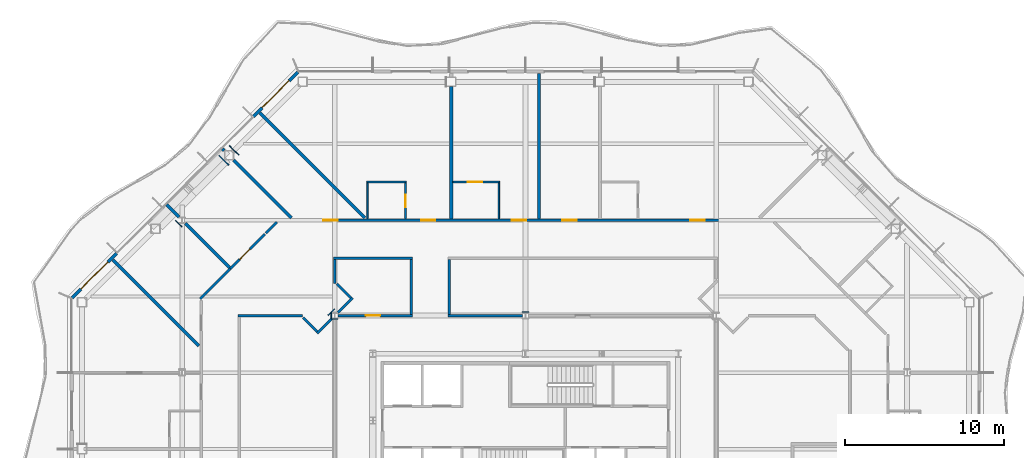
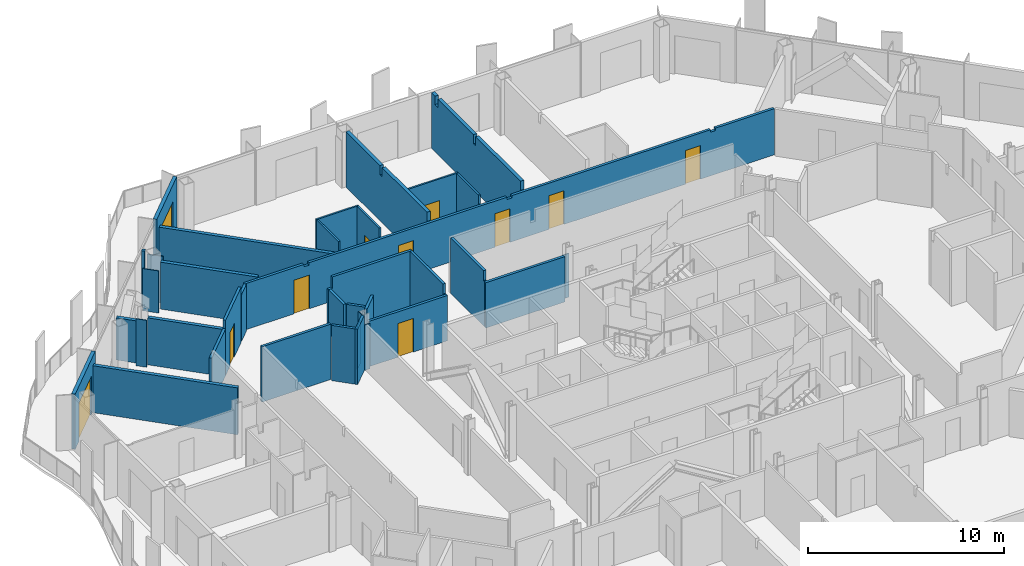
# One storey, part 12 of 21: 37 walls, 11 doors, 11 openings.
"""IFC4 building model written with IfcOpenShell, lengths in metres."""

from ifc_helpers import new_model, si_unit, direction, frame, frame_2d, origin, place, context, subcontext, project, spatial, polyline, rectangle, outline, extrude, material, layer, layer_set, type_object, element, fill, save


model = new_model("IFC4")

# Units and contexts
model_context = context("Model", 3, precision=1e-05, world=origin(), true_north=direction((0.0, 1.0)))
body_context = subcontext(model_context, "Body", "Model", "MODEL_VIEW")
ifc_project = project(units=[si_unit("LENGTHUNIT", "METRE"), si_unit("AREAUNIT", "SQUARE_METRE"), si_unit("VOLUMEUNIT", "CUBIC_METRE"), si_unit("PLANEANGLEUNIT", "RADIAN"), si_unit("MASSUNIT", "GRAM", prefix="KILO")], contexts=[model_context])

# Site, building, storey
site_placement = place(None, origin())
site = spatial("IfcSite", under=ifc_project, at=site_placement, CompositionType="ELEMENT")
building_placement = place(site_placement, origin())
building = spatial("IfcBuilding", under=site, at=building_placement, Name="Cairn Pilgrim Tower", CompositionType="ELEMENT")
storey_placement = place(building_placement, frame((0.0, 0.0, 157.800048828125)))
storey = spatial("IfcBuildingStorey", under=building, at=storey_placement, Name="L39", CompositionType="ELEMENT", Elevation=157.800048828125)

# Wall, opening, door
ifc_material_1 = material(Name="Bronze anodised aluminium insulated sandwich panel with mineral wool fill", Category="aluminium")
ifc_layer_1 = layer(ifc_material_1, 0.199951171875)
ifc_layer_set_1 = layer_set([ifc_layer_1], Name="BRONZE INFILL FRAME WALL 200")
wall_type_1 = type_object("IfcWallType", Name="BRONZE INFILL FRAME WALL 200", PredefinedType="NOTDEFINED", material=ifc_layer_set_1)
wall_1_placement = place(storey_placement, frame((-7.124755859375, 28.521728515625, 0.0), z_axis=(0.0, 0.0, 1.0), x_axis=(-0.707106781187, -0.707106781187, 0.0)))
wall_1 = element("IfcWall", 1, at=wall_1_placement, inside=storey, type_object=wall_type_1, Name="Bronze infill frame wall IW-NW1", PredefinedType="NOTDEFINED", context=body_context, shape_type="SweptSolid", body=[
    extrude(rectangle(XDim=3.961669921875, YDim=0.199951171875, at=frame_2d((1.98095703125, 0.0))), origin(), (0.0, 0.0, 1.0), 3.449951171875),
])
opening_1_placement = place(wall_1_placement, frame((0.775390625, 0.0, 0.0)))
opening_1 = element("IfcOpeningElement", 2, at=opening_1_placement, cuts=wall_1, Name="Opening 3913B2", PredefinedType="OPENING", context=body_context, shape_type="SweptSolid", body=[
    extrude(rectangle(XDim=2.39990234375, YDim=2.39990234375, at=frame_2d((1.199951171875, 1.199951171875))), frame((0.0, 0.10986328125, 0.0), z_axis=(0.0, -1.0, 0.0), x_axis=(1.0, 0.0, 0.0)), (0.0, 0.0, 1.0), 0.219970703125),
])
ifc_material_2 = material(Name="Bronze anodised aluminium frame with tinted low-E glass", Category="aluminium")
door_type_1 = type_object("IfcDoorType", Name="BALCONY SLIDING DOOR 2400x2400", OperationType="DOUBLE_DOOR_SLIDING", PredefinedType="DOOR", material=ifc_material_2)
door_1_placement = place(opening_1_placement, origin())
door_1 = element("IfcDoor", 3, at=door_1_placement, inside=storey, type_object=door_type_1, Name="Balcony sliding door 3913B2", OperationType="SINGLE_SWING_LEFT", OverallHeight=2.39990234375, OverallWidth=2.39990234375, PredefinedType="DOOR", context=body_context, shape_type="SweptSolid", body=[
    extrude(rectangle(XDim=2.39990234375, YDim=2.39990234375, at=frame_2d((1.199951171875, 1.199951171875))), frame((0.0, 0.02490234375, 0.0), z_axis=(0.0, -1.0, 0.0), x_axis=(1.0, 0.0, 0.0)), (0.0, 0.0, 1.0), 0.050048828125),
])
fill(opening_1, door_1)

wall_2_placement = place(storey_placement, frame((-18.5205078125, 17.1259765625, 0.0), z_axis=(0.0, 0.0, 1.0), x_axis=(-0.707106781187, -0.707106781187, 0.0)))
wall_2 = element("IfcWall", 4, at=wall_2_placement, inside=storey, type_object=wall_type_1, Name="Bronze infill frame wall IW-NW5", PredefinedType="NOTDEFINED", context=body_context, shape_type="SweptSolid", body=[
    extrude(rectangle(XDim=3.961669921875, YDim=0.199951171875, at=frame_2d((1.98095703125, 0.0))), origin(), (0.0, 0.0, 1.0), 3.449951171875),
])
opening_2_placement = place(wall_2_placement, frame((0.785400390625, 0.0, 0.0)))
opening_2 = element("IfcOpeningElement", 5, at=opening_2_placement, cuts=wall_2, Name="Opening 3923B", PredefinedType="OPENING", context=body_context, shape_type="SweptSolid", body=[
    extrude(rectangle(XDim=2.39990234375, YDim=2.39990234375, at=frame_2d((1.199951171875, 1.199951171875))), frame((0.0, 0.10986328125, 0.0), z_axis=(0.0, -1.0, 0.0), x_axis=(1.0, 0.0, 0.0)), (0.0, 0.0, 1.0), 0.219970703125),
])
door_2_placement = place(opening_2_placement, origin())
door_2 = element("IfcDoor", 6, at=door_2_placement, inside=storey, type_object=door_type_1, Name="Balcony sliding door 3923B", OperationType="SINGLE_SWING_LEFT", OverallHeight=2.39990234375, OverallWidth=2.39990234375, PredefinedType="DOOR", context=body_context, shape_type="SweptSolid", body=[
    extrude(rectangle(XDim=2.39990234375, YDim=2.39990234375, at=frame_2d((1.199951171875, 1.199951171875))), frame((0.0, 0.02490234375, 0.0), z_axis=(0.0, -1.0, 0.0), x_axis=(1.0, 0.0, 0.0)), (0.0, 0.0, 1.0), 0.050048828125),
])
fill(opening_2, door_2)

# Wall
ifc_material_3 = material(Name="Gypsum partition")
ifc_layer_2 = layer(ifc_material_3, 0.10009765625)
ifc_layer_set_2 = layer_set([ifc_layer_2], Name="PARTITION 100 DRYWALL")
wall_type_2 = type_object("IfcWallType", Name="PARTITION 100 DRYWALL", PredefinedType="PARTITIONING", material=ifc_layer_set_2)
wall_3_placement = place(storey_placement, frame((-2.751953125, 19.27490234375, 0.0), z_axis=(0.0, 0.0, 1.0), x_axis=(0.0, 1.0, 0.0)))
element("IfcWall", 7, at=wall_3_placement, inside=storey, type_object=wall_type_2, Name="PARTITION W104", PredefinedType="PARTITIONING", context=body_context, shape_type="SweptSolid", body=[
    extrude(outline(polyline([(0.0, 0.0), (2.275146484375, 0.0), (2.27490234375, 3.449951171875), (0.030029296875, 3.449951171875), (0.028076171875, 2.8798828125), (0.0, 2.8798828125), (0.0, 0.0)])), frame((0.0, 0.050048828125, 0.0), z_axis=(0.0, -1.0, 0.0), x_axis=(1.0, 0.0, 0.0)), (0.0, 0.0, 1.0), 0.10009765625),
])

# Wall, opening, door
wall_4_placement = place(storey_placement, frame((-0.35205078125, 19.27490234375, 0.0), z_axis=(0.0, 0.0, 1.0), x_axis=(0.0, 1.0, 0.0)))
wall_4 = element("IfcWall", 8, at=wall_4_placement, inside=storey, type_object=wall_type_2, Name="PARTITION W105", PredefinedType="PARTITIONING", context=body_context, shape_type="SweptSolid", body=[
    extrude(outline(polyline([(0.0, 0.0), (2.275146484375, 0.0), (2.27490234375, 3.449951171875), (0.030029296875, 3.449951171875), (0.028076171875, 2.8798828125), (0.0, 2.8798828125), (0.0, 0.0)])), frame((0.0, 0.050048828125, 0.0), z_axis=(0.0, -1.0, 0.0), x_axis=(1.0, 0.0, 0.0)), (0.0, 0.0, 1.0), 0.10009765625),
])
opening_3_placement = place(wall_4_placement, frame((0.72509765625, 0.0, 0.0)))
opening_3 = element("IfcOpeningElement", 9, at=opening_3_placement, cuts=wall_4, Name="Opening 3913A", PredefinedType="OPENING", context=body_context, shape_type="SweptSolid", body=[
    extrude(rectangle(XDim=0.800048828125, YDim=2.10009765625, at=frame_2d((0.39990234375, 1.050048828125))), frame((0.0, 0.06005859375, 0.0), z_axis=(0.0, -1.0, 0.0), x_axis=(1.0, 0.0, 0.0)), (0.0, 0.0, 1.0), 0.1201171875),
])
ifc_material_4 = material(Name="Timber door leaf", Category="wood")
door_type_2 = type_object("IfcDoorType", Name="WC DOOR 800x2100", OperationType="NOTDEFINED", PredefinedType="DOOR", material=ifc_material_4)
door_3_placement = place(opening_3_placement, frame((0.800048828125, 0.0, 0.0), z_axis=(0.0, 0.0, 1.0), x_axis=(-1.0, 0.0, 0.0)))
door_3 = element("IfcDoor", 10, at=door_3_placement, inside=storey, type_object=door_type_2, Name="DOOR 3913A", OperationType="SINGLE_SWING_RIGHT", OverallHeight=2.10009765625, OverallWidth=0.800048828125, PredefinedType="DOOR", context=body_context, shape_type="SweptSolid", body=[
    extrude(rectangle(XDim=0.800048828125, YDim=2.10009765625, at=frame_2d((0.39990234375, 1.050048828125))), frame((0.0, 0.02490234375, 0.0), z_axis=(0.0, -1.0, 0.0), x_axis=(1.0, 0.0, 0.0)), (0.0, 0.0, 1.0), 0.050048828125),
])
fill(opening_3, door_3)

# Walls
wall_5_placement = place(storey_placement, frame((5.52392578125, 19.27490234375, 0.0), z_axis=(0.0, 0.0, 1.0), x_axis=(0.0, 1.0, 0.0)))
element("IfcWall", 11, at=wall_5_placement, inside=storey, type_object=wall_type_2, Name="PARTITION W107", PredefinedType="PARTITIONING", context=body_context, shape_type="SweptSolid", body=[
    extrude(outline(polyline([(0.0, 0.0), (2.275146484375, 0.0), (2.27490234375, 3.449951171875), (0.030029296875, 3.449951171875), (0.028076171875, 2.8798828125), (0.0, 2.8798828125), (0.0, 0.0)])), frame((0.0, 0.050048828125, 0.0), z_axis=(0.0, -1.0, 0.0), x_axis=(1.0, 0.0, 0.0)), (0.0, 0.0, 1.0), 0.10009765625),
])
wall_6_placement = place(storey_placement, frame((-2.802001953125, 21.60009765625, 0.0), z_axis=(0.0, 0.0, 1.0), x_axis=(1.0, 0.0, 0.0)))
element("IfcWall", 12, at=wall_6_placement, inside=storey, type_object=wall_type_2, Name="PARTITION W113", PredefinedType="PARTITIONING", context=body_context, shape_type="SweptSolid", body=[
    extrude(rectangle(XDim=2.5, YDim=0.10009765625, at=frame_2d((1.25, 0.0))), origin(), (0.0, 0.0, 1.0), 3.449951171875),
])

# Wall, opening, door
wall_7_placement = place(storey_placement, frame((2.6240234375, 21.60009765625, 0.0), z_axis=(0.0, 0.0, 1.0), x_axis=(1.0, 0.0, 0.0)))
wall_7 = element("IfcWall", 13, at=wall_7_placement, inside=storey, type_object=wall_type_2, Name="PARTITION W114", PredefinedType="PARTITIONING", context=body_context, shape_type="SweptSolid", body=[
    extrude(rectangle(XDim=2.949951171875, YDim=0.10009765625, at=frame_2d((1.47509765625, 0.0))), origin(), (0.0, 0.0, 1.0), 3.449951171875),
])
opening_4_placement = place(wall_7_placement, frame((0.949951171875, 0.0, 0.0)))
opening_4 = element("IfcOpeningElement", 14, at=opening_4_placement, cuts=wall_7, Name="Opening 3912A", PredefinedType="OPENING", context=body_context, shape_type="SweptSolid", body=[
    extrude(rectangle(XDim=0.89990234375, YDim=2.10009765625, at=frame_2d((0.449951171875, 1.050048828125))), frame((0.0, 0.06005859375, 0.0), z_axis=(0.0, -1.0, 0.0), x_axis=(1.0, 0.0, 0.0)), (0.0, 0.0, 1.0), 0.1201171875),
])
door_type_3 = type_object("IfcDoorType", Name="WC DOOR 900x2100", OperationType="NOTDEFINED", PredefinedType="DOOR", material=ifc_material_4)
door_4_placement = place(opening_4_placement, origin())
door_4 = element("IfcDoor", 15, at=door_4_placement, inside=storey, type_object=door_type_3, Name="DOOR 3912A", OperationType="SINGLE_SWING_RIGHT", OverallHeight=2.10009765625, OverallWidth=0.89990234375, PredefinedType="DOOR", context=body_context, shape_type="SweptSolid", body=[
    extrude(rectangle(XDim=0.89990234375, YDim=2.10009765625, at=frame_2d((0.449951171875, 1.050048828125))), frame((0.0, 0.02490234375, 0.0), z_axis=(0.0, -1.0, 0.0), x_axis=(1.0, 0.0, 0.0)), (0.0, 0.0, 1.0), 0.050048828125),
])
fill(opening_4, door_4)

# Walls
ifc_layer_3 = layer(ifc_material_3, 0.14990234375)
ifc_layer_set_3 = layer_set([ifc_layer_3], Name="PARTITION 150 DRYWALL EI 60")
wall_type_3 = type_object("IfcWallType", Name="PARTITION 150 DRYWALL EI 60", PredefinedType="PARTITIONING", material=ifc_layer_set_3)
wall_8_placement = place(storey_placement, frame((-5.9140625, 12.0859375, 0.0), z_axis=(0.0, 0.0, 1.0), x_axis=(0.707106781187, 0.707106781187, 0.0)))
element("IfcWall", 16, at=wall_8_placement, inside=storey, type_object=wall_type_3, Name="PARTITION W071", PredefinedType="PARTITIONING", context=body_context, shape_type="SweptSolid", body=[
    extrude(rectangle(XDim=1.29541015625, YDim=0.14990234375, at=frame_2d((0.647705078125, 0.0))), origin(), (0.0, 0.0, 1.0), 3.449951171875),
])
wall_9_placement = place(storey_placement, frame((-5.9140625, 12.192138671875, 0.0), z_axis=(0.0, 0.0, 1.0), x_axis=(-0.706812296552, 0.70740114323, 0.0)))
element("IfcWall", 17, at=wall_9_placement, inside=storey, type_object=wall_type_3, Name="PARTITION W073", PredefinedType="PARTITIONING", context=body_context, shape_type="SweptSolid", body=[
    extrude(rectangle(XDim=1.243896484375, YDim=0.14990234375, at=frame_2d((0.6220703125, 0.0))), origin(), (0.0, 0.0, 1.0), 3.449951171875),
])
wall_10_placement = place(storey_placement, frame((-10.875, 13.199951171875, 0.0), z_axis=(0.0, 0.0, 1.0), x_axis=(1.0, 0.0, 0.0)))
element("IfcWall", 18, at=wall_10_placement, inside=storey, type_object=wall_type_3, Name="PARTITION W075", PredefinedType="PARTITIONING", context=body_context, shape_type="SweptSolid", body=[
    extrude(rectangle(XDim=4.059814453125, YDim=0.14990234375, at=frame_2d((2.02978515625, 0.0))), origin(), (0.0, 0.0, 1.0), 3.449951171875),
])

# Wall, opening, door
wall_11_placement = place(storey_placement, frame((-4.6005859375, 13.199951171875, 0.0), z_axis=(0.0, 0.0, 1.0), x_axis=(1.0, 0.0, 0.0)))
wall_11 = element("IfcWall", 19, at=wall_11_placement, inside=storey, type_object=wall_type_3, Name="PARTITION W076", PredefinedType="PARTITIONING", context=body_context, shape_type="SweptSolid", body=[
    extrude(rectangle(XDim=4.675537109375, YDim=0.14990234375, at=frame_2d((2.337890625, 0.0))), origin(), (0.0, 0.0, 1.0), 2.829833984375),
])
opening_5_placement = place(wall_11_placement, frame((1.75048828125, 0.0, 0.0)))
opening_5 = element("IfcOpeningElement", 20, at=opening_5_placement, cuts=wall_11, Name="Opening 3928", PredefinedType="OPENING", context=body_context, shape_type="SweptSolid", body=[
    extrude(rectangle(XDim=0.89990234375, YDim=2.10009765625, at=frame_2d((0.449951171875, 1.050048828125))), frame((0.0, 0.0849609375, 0.0), z_axis=(0.0, -1.0, 0.0), x_axis=(1.0, 0.0, 0.0)), (0.0, 0.0, 1.0), 0.169921875),
])
door_type_4 = type_object("IfcDoorType", Name="SERVICE DOOR 900x2100 FD30S", OperationType="NOTDEFINED", PredefinedType="DOOR", material=ifc_material_4)
door_5_placement = place(opening_5_placement, origin())
door_5 = element("IfcDoor", 21, at=door_5_placement, inside=storey, type_object=door_type_4, Name="DOOR 3928", OperationType="SINGLE_SWING_LEFT", OverallHeight=2.10009765625, OverallWidth=0.89990234375, PredefinedType="DOOR", context=body_context, shape_type="SweptSolid", body=[
    extrude(rectangle(XDim=0.89990234375, YDim=2.10009765625, at=frame_2d((0.449951171875, 1.050048828125))), frame((0.0, 0.02490234375, 0.0), z_axis=(0.0, -1.0, 0.0), x_axis=(1.0, 0.0, 0.0)), (0.0, 0.0, 1.0), 0.050048828125),
])
fill(opening_5, door_5)

# Walls
wall_12_placement = place(storey_placement, frame((2.324951171875, 13.199951171875, 0.0), z_axis=(0.0, 0.0, 1.0), x_axis=(1.0, 0.0, 0.0)))
element("IfcWall", 22, at=wall_12_placement, inside=storey, type_object=wall_type_3, Name="PARTITION W077", PredefinedType="PARTITIONING", context=body_context, shape_type="SweptSolid", body=[
    extrude(rectangle(XDim=4.675537109375, YDim=0.14990234375, at=frame_2d((2.337890625, 0.0))), origin(), (0.0, 0.0, 1.0), 2.829833984375),
])
for number, where, z_axis, x_axis, name in (
    (23, (0.0, 13.27490234375, 0.0), (0.0, 0.0, 1.0), (0.0, 1.0, 0.0), "PARTITION W080"),
    (24, (2.39990234375, 13.27490234375, 0.0), (0.0, 0.0, 1.0), (0.0, 1.0, 0.0), "PARTITION W081"),
):
    element("IfcWall", number, at=place(storey_placement, frame(where, z_axis=z_axis, x_axis=x_axis)), inside=storey, type_object=wall_type_3, Name=name, PredefinedType="PARTITIONING", context=body_context, shape_type="SweptSolid", body=[
        extrude(outline(polyline([(0.0, 0.0), (3.4501953125, 0.0), (3.449951171875, 3.449951171875), (0.074951171875, 3.449951171875), (0.072998046875, 2.829833984375), (0.0, 2.829833984375), (0.0, 0.0)])), frame((0.0, 0.074951171875, 0.0), z_axis=(0.0, -1.0, 0.0), x_axis=(1.0, 0.0, 0.0)), (0.0, 0.0, 1.0), 0.14990234375),
    ])
wall_13_placement = place(storey_placement, frame((-4.60205078125, 13.39794921875, 0.0), z_axis=(0.0, 0.0, 1.0), x_axis=(0.707106781187, 0.707106781187, 0.0)))
element("IfcWall", 25, at=wall_13_placement, inside=storey, type_object=wall_type_3, Name="PARTITION W083", PredefinedType="PARTITIONING", context=body_context, shape_type="SweptSolid", body=[
    extrude(rectangle(XDim=1.2958984375, YDim=0.14990234375, at=frame_2d((0.64794921875, 0.0))), origin(), (0.0, 0.0, 1.0), 3.449951171875),
])
wall_14_placement = place(storey_placement, frame((-13.27490234375, 14.239990234375, 0.0), z_axis=(0.0, 0.0, 1.0), x_axis=(0.707286821097, 0.706926695424, 0.0)))
element("IfcWall", 26, at=wall_14_placement, inside=storey, type_object=wall_type_3, Name="PARTITION W086", PredefinedType="PARTITIONING", context=body_context, shape_type="SweptSolid", body=[
    extrude(rectangle(XDim=2.711669921875, YDim=0.14990234375, at=frame_2d((1.35595703125, 0.0))), origin(), (0.0, 0.0, 1.0), 2.929931640625),
])
wall_15_placement = place(storey_placement, frame((-3.7919921875, 14.31396484375, 0.0), z_axis=(0.0, 0.0, 1.0), x_axis=(-0.707499182195, 0.706714162298, 0.0)))
element("IfcWall", 27, at=wall_15_placement, inside=storey, type_object=wall_type_3, Name="PARTITION W088", PredefinedType="PARTITIONING", context=body_context, shape_type="SweptSolid", body=[
    extrude(rectangle(XDim=1.243896484375, YDim=0.14990234375, at=frame_2d((0.6220703125, 0.0))), origin(), (0.0, 0.0, 1.0), 2.72998046875),
])
wall_16_placement = place(storey_placement, frame((-4.800048828125, 15.215087890625, 0.0), z_axis=(0.0, 0.0, 1.0), x_axis=(0.0, 1.0, 0.0)))
element("IfcWall", 28, at=wall_16_placement, inside=storey, type_object=wall_type_3, Name="PARTITION W092", PredefinedType="PARTITIONING", context=body_context, shape_type="SweptSolid", body=[
    extrude(rectangle(XDim=1.510009765625, YDim=0.14990234375, at=frame_2d((0.7548828125, 0.0))), origin(), (0.0, 0.0, 1.0), 2.72998046875),
])

# Wall, opening, door
wall_17_placement = place(storey_placement, frame((-11.35693359375, 16.156982421875, 0.0), z_axis=(0.0, 0.0, 1.0), x_axis=(0.707106781187, 0.707106781187, 0.0)))
wall_17 = element("IfcWall", 29, at=wall_17_placement, inside=storey, type_object=wall_type_3, Name="PARTITION W094", PredefinedType="PARTITIONING", context=body_context, shape_type="SweptSolid", body=[
    extrude(rectangle(XDim=3.070556640625, YDim=0.14990234375, at=frame_2d((1.53515625, 0.0))), origin(), (0.0, 0.0, 1.0), 3.449951171875),
])
opening_6_placement = place(wall_17_placement, frame((0.822998046875, 0.0, 0.0)))
opening_6 = element("IfcOpeningElement", 30, at=opening_6_placement, cuts=wall_17, Name="Opening 3915", PredefinedType="OPENING", context=body_context, shape_type="SweptSolid", body=[
    extrude(rectangle(XDim=0.89990234375, YDim=2.10009765625, at=frame_2d((0.449951171875, 1.050048828125))), frame((0.0, 0.0849609375, 0.0), z_axis=(0.0, -1.0, 0.0), x_axis=(1.0, 0.0, 0.0)), (0.0, 0.0, 1.0), 0.169921875),
])
door_6_placement = place(opening_6_placement, origin())
door_6 = element("IfcDoor", 31, at=door_6_placement, inside=storey, type_object=door_type_4, Name="DOOR 3915", OperationType="SINGLE_SWING_RIGHT", OverallHeight=2.10009765625, OverallWidth=0.89990234375, PredefinedType="DOOR", context=body_context, shape_type="SweptSolid", body=[
    extrude(rectangle(XDim=0.89990234375, YDim=2.10009765625, at=frame_2d((0.449951171875, 1.050048828125))), frame((0.0, 0.02490234375, 0.0), z_axis=(0.0, -1.0, 0.0), x_axis=(1.0, 0.0, 0.0)), (0.0, 0.0, 1.0), 0.050048828125),
])
fill(opening_6, door_6)

# Walls
wall_18_placement = place(storey_placement, frame((-4.875, 16.800048828125, 0.0), z_axis=(0.0, 0.0, 1.0), x_axis=(1.0, 0.0, 0.0)))
element("IfcWall", 32, at=wall_18_placement, inside=storey, type_object=wall_type_3, Name="PARTITION W096", PredefinedType="PARTITIONING", context=body_context, shape_type="SweptSolid", body=[
    extrude(outline(polyline([(0.0, 0.0), (4.949951171875, 0.0), (4.949951171875, 3.449951171875), (0.22509765625, 3.449951171875), (0.222900390625, 2.72998046875), (0.0, 2.72998046875), (0.0, 0.0)])), frame((0.0, 0.074951171875, 0.0), z_axis=(0.0, -1.0, 0.0), x_axis=(1.0, 0.0, 0.0)), (0.0, 0.0, 1.0), 0.14990234375),
])
wall_19_placement = place(storey_placement, frame((-9.1328125, 18.38134765625, 0.0), z_axis=(0.0, 0.0, 1.0), x_axis=(0.706731558776, 0.707481804593, 0.0)))
element("IfcWall", 33, at=wall_19_placement, inside=storey, type_object=wall_type_3, Name="PARTITION W099", PredefinedType="PARTITIONING", context=body_context, shape_type="SweptSolid", body=[
    extrude(rectangle(XDim=0.976318359375, YDim=0.14990234375, at=frame_2d((0.48828125, 0.0))), origin(), (0.0, 0.0, 1.0), 2.929931640625),
])

# Wall, openings, doors
wall_20_placement = place(storey_placement, frame((-8.4208984375, 19.199951171875, 0.0), z_axis=(0.0, 0.0, 1.0), x_axis=(1.0, 0.0, 0.0)))
wall_20 = element("IfcWall", 34, at=wall_20_placement, inside=storey, type_object=wall_type_3, Name="PARTITION W101", PredefinedType="PARTITIONING", context=body_context, shape_type="SweptSolid", body=[
    extrude(outline(polyline([(0.0, 0.0), (31.241943359375, 0.0), (31.241943359375, 2.8798828125), (27.77099609375, 2.8798828125), (27.76904296875, 2.72998046875), (27.470947265625, 2.72998046875), (27.468994140625, 2.8798828125), (15.77099609375, 2.8798828125), (15.76904296875, 2.72998046875), (15.470947265625, 2.72998046875), (15.468994140625, 2.8798828125), (3.77099609375, 2.8798828125), (3.76904296875, 2.72998046875), (3.470947265625, 2.72998046875), (3.468994140625, 2.8798828125), (0.0, 2.8798828125), (0.0, 0.0)])), frame((0.0, 0.074951171875, 0.0), z_axis=(0.0, -1.0, 0.0), x_axis=(1.0, 0.0, 0.0)), (0.0, 0.0, 1.0), 0.14990234375),
])
opening_7_placement = place(wall_20_placement, frame((25.9970703125, 0.0, 0.0)))
opening_7 = element("IfcOpeningElement", 35, at=opening_7_placement, cuts=wall_20, Name="Opening 3910", PredefinedType="OPENING", context=body_context, shape_type="SweptSolid", body=[
    extrude(rectangle(XDim=0.89990234375, YDim=2.10009765625, at=frame_2d((0.449951171875, 1.050048828125))), frame((0.0, 0.0849609375, 0.0), z_axis=(0.0, -1.0, 0.0), x_axis=(1.0, 0.0, 0.0)), (0.0, 0.0, 1.0), 0.169921875),
])
opening_8_placement = place(wall_20_placement, frame((17.929931640625, 0.0, 0.0)))
opening_8 = element("IfcOpeningElement", 36, at=opening_8_placement, cuts=wall_20, Name="Opening 3911", PredefinedType="OPENING", context=body_context, shape_type="SweptSolid", body=[
    extrude(rectangle(XDim=0.89990234375, YDim=2.10009765625, at=frame_2d((0.449951171875, 1.050048828125))), frame((0.0, 0.0849609375, 0.0), z_axis=(0.0, -1.0, 0.0), x_axis=(1.0, 0.0, 0.0)), (0.0, 0.0, 1.0), 0.169921875),
])
opening_9_placement = place(wall_20_placement, frame((14.75390625, 0.0, 0.0)))
opening_9 = element("IfcOpeningElement", 37, at=opening_9_placement, cuts=wall_20, Name="Opening 3912", PredefinedType="OPENING", context=body_context, shape_type="SweptSolid", body=[
    extrude(rectangle(XDim=0.89990234375, YDim=2.10009765625, at=frame_2d((0.449951171875, 1.050048828125))), frame((0.0, 0.0849609375, 0.0), z_axis=(0.0, -1.0, 0.0), x_axis=(1.0, 0.0, 0.0)), (0.0, 0.0, 1.0), 0.169921875),
])
opening_10_placement = place(wall_20_placement, frame((9.056884765625, 0.0, 0.0)))
opening_10 = element("IfcOpeningElement", 38, at=opening_10_placement, cuts=wall_20, Name="Opening 3913", PredefinedType="OPENING", context=body_context, shape_type="SweptSolid", body=[
    extrude(rectangle(XDim=0.89990234375, YDim=2.10009765625, at=frame_2d((0.449951171875, 1.050048828125))), frame((0.0, 0.0849609375, 0.0), z_axis=(0.0, -1.0, 0.0), x_axis=(1.0, 0.0, 0.0)), (0.0, 0.0, 1.0), 0.169921875),
])
opening_11_placement = place(wall_20_placement, frame((2.906982421875, 0.0, 0.0)))
opening_11 = element("IfcOpeningElement", 39, at=opening_11_placement, cuts=wall_20, Name="Opening 3914", PredefinedType="OPENING", context=body_context, shape_type="SweptSolid", body=[
    extrude(rectangle(XDim=0.89990234375, YDim=2.10009765625, at=frame_2d((0.449951171875, 1.050048828125))), frame((0.0, 0.0849609375, 0.0), z_axis=(0.0, -1.0, 0.0), x_axis=(1.0, 0.0, 0.0)), (0.0, 0.0, 1.0), 0.169921875),
])
door_type_5 = type_object("IfcDoorType", Name="ROOM DOOR 900x2100 FD30S", OperationType="NOTDEFINED", PredefinedType="DOOR", material=ifc_material_4)
door_7_placement = place(opening_7_placement, origin())
door_7 = element("IfcDoor", 40, at=door_7_placement, inside=storey, type_object=door_type_5, Name="DOOR 3910", OperationType="SINGLE_SWING_RIGHT", OverallHeight=2.10009765625, OverallWidth=0.89990234375, PredefinedType="DOOR", context=body_context, shape_type="SweptSolid", body=[
    extrude(rectangle(XDim=0.89990234375, YDim=2.10009765625, at=frame_2d((0.449951171875, 1.050048828125))), frame((0.0, 0.02490234375, 0.0), z_axis=(0.0, -1.0, 0.0), x_axis=(1.0, 0.0, 0.0)), (0.0, 0.0, 1.0), 0.050048828125),
])
fill(opening_7, door_7)
door_8_placement = place(opening_8_placement, origin())
door_8 = element("IfcDoor", 41, at=door_8_placement, inside=storey, type_object=door_type_5, Name="DOOR 3911", OperationType="SINGLE_SWING_RIGHT", OverallHeight=2.10009765625, OverallWidth=0.89990234375, PredefinedType="DOOR", context=body_context, shape_type="SweptSolid", body=[
    extrude(rectangle(XDim=0.89990234375, YDim=2.10009765625, at=frame_2d((0.449951171875, 1.050048828125))), frame((0.0, 0.02490234375, 0.0), z_axis=(0.0, -1.0, 0.0), x_axis=(1.0, 0.0, 0.0)), (0.0, 0.0, 1.0), 0.050048828125),
])
fill(opening_8, door_8)
door_9_placement = place(opening_9_placement, origin())
door_9 = element("IfcDoor", 42, at=door_9_placement, inside=storey, type_object=door_type_5, Name="DOOR 3912", OperationType="SINGLE_SWING_RIGHT", OverallHeight=2.10009765625, OverallWidth=0.89990234375, PredefinedType="DOOR", context=body_context, shape_type="SweptSolid", body=[
    extrude(rectangle(XDim=0.89990234375, YDim=2.10009765625, at=frame_2d((0.449951171875, 1.050048828125))), frame((0.0, 0.02490234375, 0.0), z_axis=(0.0, -1.0, 0.0), x_axis=(1.0, 0.0, 0.0)), (0.0, 0.0, 1.0), 0.050048828125),
])
fill(opening_9, door_9)
door_10_placement = place(opening_10_placement, origin())
door_10 = element("IfcDoor", 43, at=door_10_placement, inside=storey, type_object=door_type_5, Name="DOOR 3913", OperationType="SINGLE_SWING_RIGHT", OverallHeight=2.10009765625, OverallWidth=0.89990234375, PredefinedType="DOOR", context=body_context, shape_type="SweptSolid", body=[
    extrude(rectangle(XDim=0.89990234375, YDim=2.10009765625, at=frame_2d((0.449951171875, 1.050048828125))), frame((0.0, 0.02490234375, 0.0), z_axis=(0.0, -1.0, 0.0), x_axis=(1.0, 0.0, 0.0)), (0.0, 0.0, 1.0), 0.050048828125),
])
fill(opening_10, door_10)
door_11_placement = place(opening_11_placement, origin())
door_11 = element("IfcDoor", 44, at=door_11_placement, inside=storey, type_object=door_type_4, Name="DOOR 3914", OperationType="SINGLE_SWING_RIGHT", OverallHeight=2.10009765625, OverallWidth=0.89990234375, PredefinedType="DOOR", context=body_context, shape_type="SweptSolid", body=[
    extrude(rectangle(XDim=0.89990234375, YDim=2.10009765625, at=frame_2d((0.449951171875, 1.050048828125))), frame((0.0, 0.02490234375, 0.0), z_axis=(0.0, -1.0, 0.0), x_axis=(1.0, 0.0, 0.0)), (0.0, 0.0, 1.0), 0.050048828125),
])
fill(opening_11, door_11)

# Walls
ifc_layer_4 = layer(ifc_material_3, 0.050048828125)
ifc_layer_set_4 = layer_set([ifc_layer_4], Name="PARTITION 50 DRYWALL EI 60")
wall_type_4 = type_object("IfcWallType", Name="PARTITION 50 DRYWALL EI 60", PredefinedType="PARTITIONING", material=ifc_layer_set_4)
wall_21_placement = place(storey_placement, frame((-5.0244140625, 13.00341796875, 0.0), z_axis=(0.0, 0.0, 1.0), x_axis=(0.0, 1.0, 0.0)))
element("IfcWall", 45, at=wall_21_placement, inside=storey, type_object=wall_type_4, Name="COLUMN CASING WC14", PredefinedType="PARTITIONING", context=body_context, shape_type="SweptSolid", body=[
    extrude(rectangle(XDim=0.39306640625, YDim=0.050048828125, at=frame_2d((0.196533203125, 0.0))), origin(), (0.0, 0.0, 1.0), 3.449951171875),
])
wall_22_placement = place(storey_placement, frame((-5.213623046875, 13.2177734375, 0.0), z_axis=(0.0, 0.0, 1.0), x_axis=(0.707106781187, 0.707106781187, 0.0)))
element("IfcWall", 46, at=wall_22_placement, inside=storey, type_object=wall_type_4, Name="COLUMN CASING WC23", PredefinedType="PARTITIONING", context=body_context, shape_type="SweptSolid", body=[
    extrude(rectangle(XDim=0.56005859375, YDim=0.050048828125, at=frame_2d((0.280029296875, 0.0))), origin(), (0.0, 0.0, 1.0), 2.72998046875),
])
wall_23_placement = place(storey_placement, frame((-4.99951171875, 12.978515625, 0.0), z_axis=(0.0, 0.0, 1.0), x_axis=(1.0, 0.0, 0.0)))
element("IfcWall", 47, at=wall_23_placement, inside=storey, type_object=wall_type_4, Name="COLUMN CASING WC25", PredefinedType="PARTITIONING", context=body_context, shape_type="SweptSolid", body=[
    extrude(rectangle(XDim=0.39892578125, YDim=0.050048828125, at=frame_2d((0.199462890625, 0.0))), origin(), (0.0, 0.0, 1.0), 2.829833984375),
])
wall_24_placement = place(storey_placement, frame((7.00048828125, 13.42138671875, 0.0), z_axis=(0.0, 0.0, 1.0), x_axis=(1.0, 0.0, 0.0)))
element("IfcWall", 48, at=wall_24_placement, inside=storey, type_object=wall_type_4, Name="COLUMN CASING WC26", PredefinedType="PARTITIONING", context=body_context, shape_type="SweptSolid", body=[
    extrude(rectangle(XDim=0.39892578125, YDim=0.050048828125, at=frame_2d((0.199462890625, 0.0))), origin(), (0.0, 0.0, 1.0), 2.72998046875),
])
wall_25_placement = place(storey_placement, frame((-14.417724609375, 18.786376953125, 0.0), z_axis=(0.0, 0.0, 1.0), x_axis=(-0.707106781187, 0.707106781187, 0.0)))
element("IfcWall", 49, at=wall_25_placement, inside=storey, type_object=wall_type_4, Name="COLUMN CASING WC28", PredefinedType="PARTITIONING", context=body_context, shape_type="SweptSolid", body=[
    extrude(rectangle(XDim=0.56005859375, YDim=0.050048828125, at=frame_2d((0.280029296875, 0.0))), origin(), (0.0, 0.0, 1.0), 2.929931640625),
])
wall_26_placement = place(storey_placement, frame((-11.46923828125, 22.657958984375, 0.0), z_axis=(0.0, 0.0, 1.0), x_axis=(-0.706962899457, 0.707250633645, 0.0)))
element("IfcWall", 50, at=wall_26_placement, inside=storey, type_object=wall_type_4, Name="COLUMN CASING WC31", PredefinedType="PARTITIONING", context=body_context, shape_type="SweptSolid", body=[
    extrude(rectangle(XDim=0.848388671875, YDim=0.050048828125, at=frame_2d((0.42431640625, 0.0))), origin(), (0.0, 0.0, 1.0), 2.6298828125),
])
wall_27_placement = place(storey_placement, frame((-10.833740234375, 23.29345703125, 0.0), z_axis=(0.0, 0.0, 1.0), x_axis=(-0.707250633645, 0.706962899457, 0.0)))
element("IfcWall", 51, at=wall_27_placement, inside=storey, type_object=wall_type_4, Name="COLUMN CASING WC32", PredefinedType="PARTITIONING", context=body_context, shape_type="SweptSolid", body=[
    extrude(rectangle(XDim=0.848388671875, YDim=0.050048828125, at=frame_2d((0.42431640625, 0.0))), origin(), (0.0, 0.0, 1.0), 2.929931640625),
])
ifc_layer_5 = layer(ifc_material_3, 0.199951171875)
ifc_layer_set_5 = layer_set([ifc_layer_5], Name="SHAFT WALL 200 GYPSUM EI 60")
wall_type_5 = type_object("IfcWallType", Name="SHAFT WALL 200 GYPSUM EI 60", PredefinedType="PARTITIONING", material=ifc_layer_set_5)
wall_28_placement = place(storey_placement, frame((-13.345703125, 11.297607421875, 0.0), z_axis=(0.0, 0.0, 1.0), x_axis=(-0.707106781187, 0.707106781187, 0.0)))
element("IfcWall", 52, at=wall_28_placement, inside=storey, type_object=wall_type_5, Name="PARTITION W069", PredefinedType="PARTITIONING", context=body_context, shape_type="SweptSolid", body=[
    extrude(rectangle(XDim=7.650390625, YDim=0.199951171875, at=frame_2d((3.8251953125, 0.0))), origin(), (0.0, 0.0, 1.0), 2.929931640625),
])
wall_29_placement = place(storey_placement, frame((-11.41015625, 16.210205078125, 0.0), z_axis=(0.0, 0.0, 1.0), x_axis=(-0.707106781187, 0.707106781187, 0.0)))
element("IfcWall", 53, at=wall_29_placement, inside=storey, type_object=wall_type_5, Name="PARTITION W095", PredefinedType="PARTITIONING", context=body_context, shape_type="SweptSolid", body=[
    extrude(rectangle(XDim=3.9482421875, YDim=0.199951171875, at=frame_2d((1.97412109375, 0.0))), origin(), (0.0, 0.0, 1.0), 2.929931640625),
])
wall_30_placement = place(storey_placement, frame((-7.521728515625, 19.345703125, 0.0), z_axis=(0.0, 0.0, 1.0), x_axis=(-0.707106781187, 0.707106781187, 0.0)))
element("IfcWall", 54, at=wall_30_placement, inside=storey, type_object=wall_type_5, Name="PARTITION W102", PredefinedType="PARTITIONING", context=body_context, shape_type="SweptSolid", body=[
    extrude(rectangle(XDim=5.133544921875, YDim=0.199951171875, at=frame_2d((2.56689453125, 0.0))), origin(), (0.0, 0.0, 1.0), 2.929931640625),
])
wall_31_placement = place(storey_placement, frame((-2.897705078125, 19.345703125, 0.0), z_axis=(0.0, 0.0, 1.0), x_axis=(-0.707106781187, 0.707106781187, 0.0)))
element("IfcWall", 55, at=wall_31_placement, inside=storey, type_object=wall_type_5, Name="PARTITION W103", PredefinedType="PARTITIONING", context=body_context, shape_type="SweptSolid", body=[
    extrude(rectangle(XDim=9.347412109375, YDim=0.199951171875, at=frame_2d((4.673828125, 0.0))), origin(), (0.0, 0.0, 1.0), 2.72998046875),
])
wall_32_placement = place(storey_placement, frame((2.52392578125, 19.27490234375, 0.0), z_axis=(0.0, 0.0, 1.0), x_axis=(0.0, 1.0, 0.0)))
element("IfcWall", 56, at=wall_32_placement, inside=storey, type_object=wall_type_5, Name="PARTITION W106", PredefinedType="PARTITIONING", context=body_context, shape_type="SweptSolid", body=[
    extrude(outline(polyline([(0.0, 0.0), (8.3251953125, 0.0), (8.324951171875, 3.449951171875), (4.830078125, 3.449951171875), (4.827880859375, 2.8798828125), (4.6201171875, 2.8798828125), (4.617919921875, 3.449951171875), (0.030029296875, 3.449951171875), (0.028076171875, 2.8798828125), (0.0, 2.8798828125), (0.0, 0.0)])), frame((0.0, 0.10009765625, 0.0), z_axis=(0.0, -1.0, 0.0), x_axis=(1.0, 0.0, 0.0)), (0.0, 0.0, 1.0), 0.199951171875),
])
wall_33_placement = place(storey_placement, frame((8.0419921875, 19.27490234375, 0.0), z_axis=(0.0, 0.0, 1.0), x_axis=(0.0, 1.0, 0.0)))
element("IfcWall", 57, at=wall_33_placement, inside=storey, type_object=wall_type_5, Name="PARTITION W108", PredefinedType="PARTITIONING", context=body_context, shape_type="SweptSolid", body=[
    extrude(outline(polyline([(0.0, 0.0), (9.14501953125, 0.0), (9.14501953125, 3.449951171875), (8.77490234375, 3.449951171875), (8.77294921875, 2.929931640625), (8.47509765625, 2.929931640625), (8.472900390625, 3.449951171875), (4.830078125, 3.449951171875), (4.827880859375, 2.8798828125), (4.6201171875, 2.8798828125), (4.617919921875, 3.449951171875), (0.030029296875, 3.449951171875), (0.028076171875, 2.8798828125), (0.0, 2.8798828125), (0.0, 0.0)])), frame((0.0, 0.10009765625, 0.0), z_axis=(0.0, -1.0, 0.0), x_axis=(1.0, 0.0, 0.0)), (0.0, 0.0, 1.0), 0.199951171875),
])
wall_34_placement = place(storey_placement, frame((-14.597900390625, 19.39794921875, 0.0), z_axis=(0.0, 0.0, 1.0), x_axis=(-0.707106781187, 0.707106781187, 0.0)))
element("IfcWall", 58, at=wall_34_placement, inside=storey, type_object=wall_type_5, Name="PARTITION W112", PredefinedType="PARTITIONING", context=body_context, shape_type="SweptSolid", body=[
    extrude(rectangle(XDim=1.107177734375, YDim=0.199951171875, at=frame_2d((0.5537109375, 0.0))), origin(), (0.0, 0.0, 1.0), 2.6298828125),
])
wall_35_placement = place(storey_placement, frame((-11.751708984375, 23.57568359375, 0.0), z_axis=(0.0, 0.0, 1.0), x_axis=(-0.707106781187, 0.707106781187, 0.0)))
element("IfcWall", 59, at=wall_35_placement, inside=storey, type_object=wall_type_5, Name="PARTITION W116", PredefinedType="PARTITIONING", context=body_context, shape_type="SweptSolid", body=[
    extrude(rectangle(XDim=0.165771484375, YDim=0.199951171875, at=frame_2d((0.0830078125, 0.0))), origin(), (0.0, 0.0, 1.0), 3.449951171875),
])

save(model, "model.ifc")
